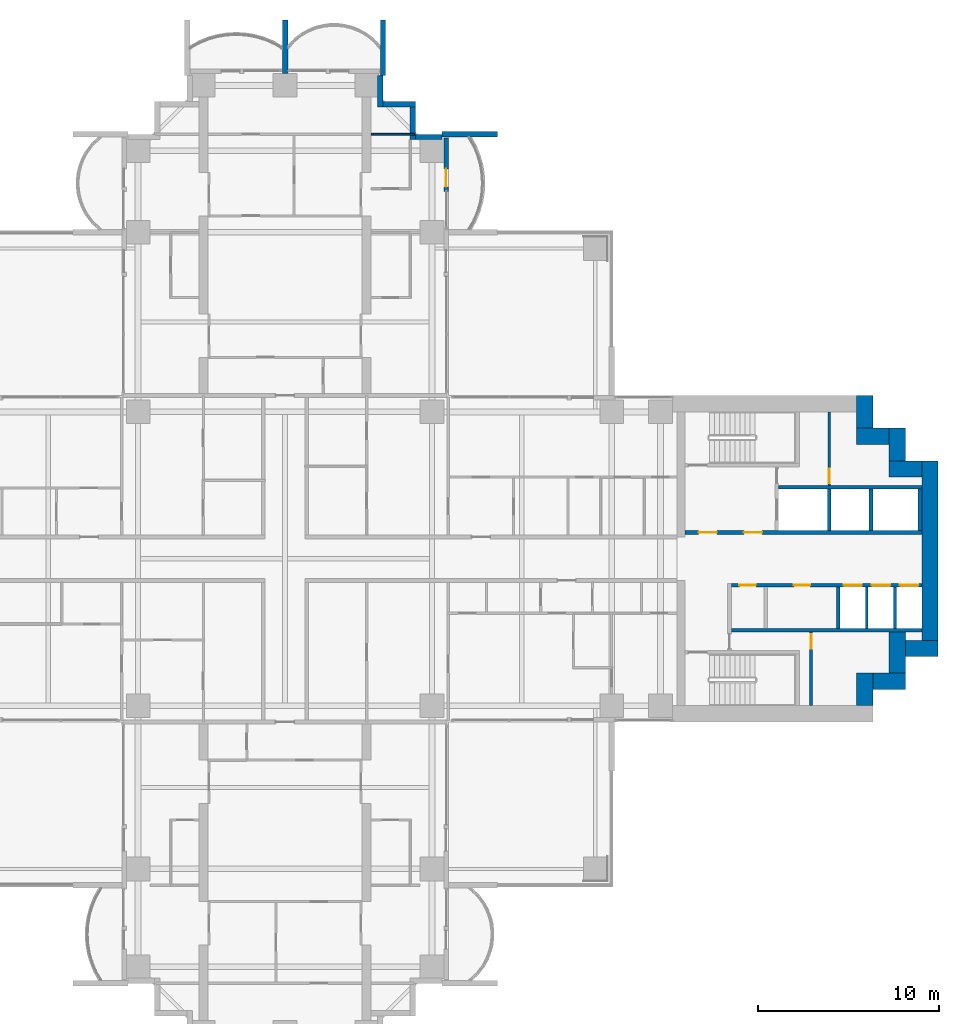
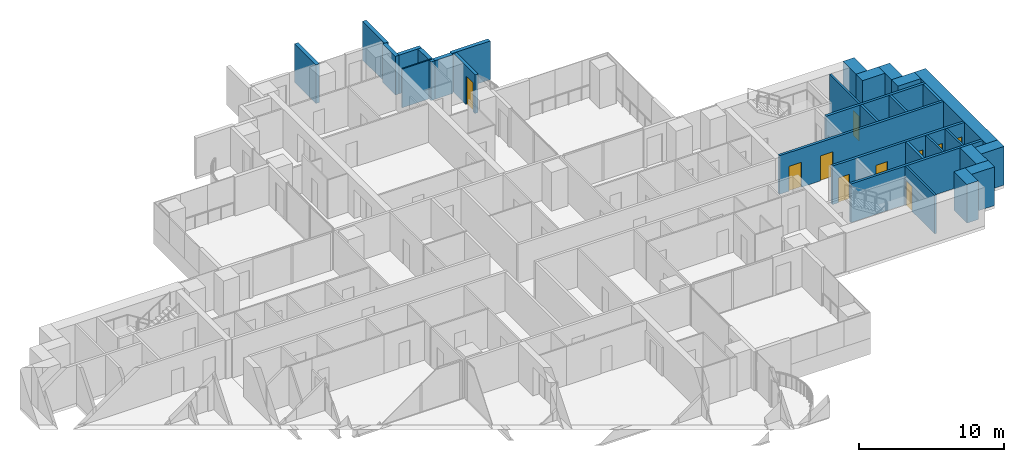
# One storey, part 16 of 21: 30 walls, 10 doors, 10 openings.
"""IFC4 building model written with IfcOpenShell, lengths in metres."""

from ifc_helpers import new_model, si_unit, direction, frame, frame_2d, origin, place, context, subcontext, project, spatial, rectangle, extrude, material, layer, layer_set, type_object, element, fill, save


model = new_model("IFC4")

# Units and contexts
model_context = context("Model", 3, precision=1e-05, world=origin(), true_north=direction((0.0, 1.0)))
body_context = subcontext(model_context, "Body", "Model", "MODEL_VIEW")
ifc_project = project(units=[si_unit("LENGTHUNIT", "METRE"), si_unit("AREAUNIT", "SQUARE_METRE"), si_unit("VOLUMEUNIT", "CUBIC_METRE"), si_unit("PLANEANGLEUNIT", "RADIAN"), si_unit("MASSUNIT", "GRAM", prefix="KILO")], contexts=[model_context])

# Site, building, storey
site_placement = place(None, origin())
site = spatial("IfcSite", under=ifc_project, at=site_placement, CompositionType="ELEMENT")
building_placement = place(site_placement, origin())
building = spatial("IfcBuilding", under=site, at=building_placement, Name="Perihelion Cross Residences", CompositionType="ELEMENT")
storey_placement = place(building_placement, frame((0.0, 0.0, 57.5)))
storey = spatial("IfcBuildingStorey", under=building, at=storey_placement, Name="L11", CompositionType="ELEMENT", Elevation=57.5)

# Wall, opening, door
ifc_material_1 = material(Name="Concrete C30/37, bronze-clad", Category="concrete")
ifc_layer_1 = layer(ifc_material_1, 0.25)
ifc_layer_set_1 = layer_set([ifc_layer_1], Name="Bronze-clad pier wall 250")
wall_type_1 = type_object("IfcWallType", Name="Bronze-clad pier wall 250", PredefinedType="SOLIDWALL", material=ifc_layer_set_1)
wall_1_placement = place(storey_placement, frame((8.875, 20.25, 0.0), z_axis=(0.0, 0.0, 1.0), x_axis=(0.0, 1.0, 0.0)))
wall_1 = element("IfcWall", 1, at=wall_1_placement, inside=storey, type_object=wall_type_1, Name="Wall FW1 L11 north side east bay 2 pier", PredefinedType="SOLIDWALL", context=body_context, shape_type="SweptSolid", body=[
    extrude(rectangle(XDim=2.949951171875, YDim=0.25, at=frame_2d((1.47509765625, 0.0))), origin(), (0.0, 0.0, 1.0), 3.25),
])
opening_1_placement = place(wall_1_placement, frame((0.25, 0.0, 0.0)))
opening_1 = element("IfcOpeningElement", 2, at=opening_1_placement, cuts=wall_1, Name="Opening L11.E03", PredefinedType="OPENING", context=body_context, shape_type="SweptSolid", body=[
    extrude(rectangle(XDim=1.0, YDim=2.39990234375, at=frame_2d((0.5, 1.199951171875))), frame((0.0, 0.135009765625, 0.0), z_axis=(0.0, -1.0, 0.0), x_axis=(1.0, 0.0, 0.0)), (0.0, 0.0, 1.0), 0.27001953125),
])
ifc_material_2 = material(Name="Bronze anodised aluminium, glazed", Category="aluminium")
door_type_1 = type_object("IfcDoorType", Name="Balcony door 1000 x 2400", OperationType="NOTDEFINED", PredefinedType="DOOR", material=ifc_material_2)
door_1_placement = place(opening_1_placement, origin())
door_1 = element("IfcDoor", 3, at=door_1_placement, inside=storey, type_object=door_type_1, Name="Door L11.E03 north side east bay 2", OperationType="SINGLE_SWING_RIGHT", OverallHeight=2.39990234375, OverallWidth=1.0, PredefinedType="DOOR", context=body_context, shape_type="SweptSolid", body=[
    extrude(rectangle(XDim=1.0, YDim=2.39990234375, at=frame_2d((0.5, 1.199951171875))), frame((0.0, 0.02490234375, 0.0), z_axis=(0.0, -1.0, 0.0), x_axis=(1.0, 0.0, 0.0)), (0.0, 0.0, 1.0), 0.050048828125),
])
fill(opening_1, door_1)

# Walls
ifc_material_3 = material(Name="Concrete C30/37, bronze-clad", Category="concrete")
ifc_layer_2 = layer(ifc_material_3, 0.300048828125)
ifc_layer_set_2 = layer_set([ifc_layer_2], Name="Bronze-clad serration wall 300")
wall_type_2 = type_object("IfcWallType", Name="Bronze-clad serration wall 300", PredefinedType="SOLIDWALL", material=ifc_layer_set_2)
wall_2_placement = place(storey_placement, frame((8.64990234375, 23.25, 0.0), z_axis=(0.0, 0.0, 1.0), x_axis=(-1.0, 0.0, 0.0)))
element("IfcWall", 4, at=wall_2_placement, inside=storey, type_object=wall_type_2, Name="Wall SR1 L11 north corner north-east 1", PredefinedType="SOLIDWALL", context=body_context, shape_type="SweptSolid", body=[
    extrude(rectangle(XDim=1.449951171875, YDim=0.300048828125, at=frame_2d((0.72509765625, 0.0))), origin(), (0.0, 0.0, 1.0), 3.25),
])
wall_3_placement = place(storey_placement, frame((7.050048828125, 23.10009765625, 0.0), z_axis=(0.0, 0.0, 1.0), x_axis=(0.0, 1.0, 0.0)))
element("IfcWall", 5, at=wall_3_placement, inside=storey, type_object=wall_type_2, Name="Wall SR1 L11 north corner north-east 2", PredefinedType="SOLIDWALL", context=body_context, shape_type="SweptSolid", body=[
    extrude(rectangle(XDim=1.7998046875, YDim=0.300048828125, at=frame_2d((0.89990234375, 0.0))), origin(), (0.0, 0.0, 1.0), 3.25),
])
wall_4_placement = place(storey_placement, frame((7.199951171875, 25.050048828125, 0.0), z_axis=(0.0, 0.0, 1.0), x_axis=(-1.0, 0.0, 0.0)))
element("IfcWall", 6, at=wall_4_placement, inside=storey, type_object=wall_type_2, Name="Wall SR1 L11 north corner north-east 3", PredefinedType="SOLIDWALL", context=body_context, shape_type="SweptSolid", body=[
    extrude(rectangle(XDim=1.800048828125, YDim=0.300048828125, at=frame_2d((0.89990234375, 0.0))), origin(), (0.0, 0.0, 1.0), 3.25),
])
wall_5_placement = place(storey_placement, frame((5.25, 24.89990234375, 0.0), z_axis=(0.0, 0.0, 1.0), x_axis=(0.0, 1.0, 0.0)))
element("IfcWall", 7, at=wall_5_placement, inside=storey, type_object=wall_type_2, Name="Wall SR1 L11 north corner north-east 4", PredefinedType="SOLIDWALL", context=body_context, shape_type="SweptSolid", body=[
    extrude(rectangle(XDim=1.75, YDim=0.300048828125, at=frame_2d((0.875, 0.0))), origin(), (0.0, 0.0, 1.0), 3.25),
])
ifc_material_4 = material(Name="Concrete C60/75", Category="concrete")
ifc_layer_3 = layer(ifc_material_4, 0.89990234375)
ifc_layer_set_3 = layer_set([ifc_layer_3], Name="Core wall, outer 900")
wall_type_3 = type_object("IfcWallType", Name="Core wall, outer 900", PredefinedType="SHEAR", material=ifc_layer_set_3)
for number, where, z_axis, x_axis, name in (
    (8, (31.949951171875, -8.10009765625, 0.0), (0.0, 0.0, 1.0), (0.0, 1.0, 0.0), "East core core wall, outer"),
    (9, (32.39990234375, -6.75, 0.0), (0.0, 0.0, 1.0), (1.0, 0.0, 0.0), "East core core wall, outer"),
):
    element("IfcWall", number, at=place(storey_placement, frame(where, z_axis=z_axis, x_axis=x_axis)), inside=storey, type_object=wall_type_3, Name=name, PredefinedType="SHEAR", context=body_context, shape_type="SweptSolid", body=[
        extrude(rectangle(XDim=1.800048828125, YDim=0.89990234375, at=frame_2d((0.89990234375, 0.0))), origin(), (0.0, 0.0, 1.0), 3.25),
    ])
wall_6_placement = place(storey_placement, frame((33.75, -6.300048828125, 0.0), z_axis=(0.0, 0.0, 1.0), x_axis=(0.0, 1.0, 0.0)))
element("IfcWall", 10, at=wall_6_placement, inside=storey, type_object=wall_type_3, Name="East core core wall, outer", PredefinedType="SHEAR", context=body_context, shape_type="SweptSolid", body=[
    extrude(rectangle(XDim=2.25, YDim=0.89990234375, at=frame_2d((1.125, 0.0))), origin(), (0.0, 0.0, 1.0), 3.25),
])
wall_7_placement = place(storey_placement, frame((34.199951171875, -4.949951171875, 0.0), z_axis=(0.0, 0.0, 1.0), x_axis=(1.0, 0.0, 0.0)))
element("IfcWall", 11, at=wall_7_placement, inside=storey, type_object=wall_type_3, Name="East core core wall, outer", PredefinedType="SHEAR", context=body_context, shape_type="SweptSolid", body=[
    extrude(rectangle(XDim=1.800048828125, YDim=0.89990234375, at=frame_2d((0.89990234375, 0.0))), origin(), (0.0, 0.0, 1.0), 3.25),
])
wall_8_placement = place(storey_placement, frame((35.550048828125, -4.5, 0.0), z_axis=(0.0, 0.0, 1.0), x_axis=(0.0, 1.0, 0.0)))
element("IfcWall", 12, at=wall_8_placement, inside=storey, type_object=wall_type_3, Name="East core core wall, outer", PredefinedType="SHEAR", context=body_context, shape_type="SweptSolid", body=[
    extrude(rectangle(XDim=9.89990234375, YDim=0.89990234375, at=frame_2d((4.949951171875, 0.0))), origin(), (0.0, 0.0, 1.0), 3.25),
])
for number, where, z_axis, x_axis, name in (
    (13, (33.300048828125, 4.949951171875, 0.0), (0.0, 0.0, 1.0), (1.0, 0.0, 0.0), "East core core wall, outer"),
    (14, (33.75, 5.39990234375, 0.0), (0.0, 0.0, 1.0), (0.0, 1.0, 0.0), "East core core wall, outer"),
    (15, (31.5, 6.75, 0.0), (0.0, 0.0, 1.0), (1.0, 0.0, 0.0), "East core core wall, outer"),
    (16, (31.949951171875, 7.199951171875, 0.0), (0.0, 0.0, 1.0), (0.0, 1.0, 0.0), "East core core wall, outer"),
):
    element("IfcWall", number, at=place(storey_placement, frame(where, z_axis=z_axis, x_axis=x_axis)), inside=storey, type_object=wall_type_3, Name=name, PredefinedType="SHEAR", context=body_context, shape_type="SweptSolid", body=[
        extrude(rectangle(XDim=1.800048828125, YDim=0.89990234375, at=frame_2d((0.89990234375, 0.0))), origin(), (0.0, 0.0, 1.0), 3.25),
    ])
ifc_material_5 = material(Name="Precast concrete C50/60", Category="concrete")
ifc_layer_4 = layer(ifc_material_5, 0.300048828125)
ifc_layer_set_4 = layer_set([ifc_layer_4], Name="Precast concrete C50/60 blade wall 300")
wall_type_4 = type_object("IfcWallType", Name="Precast concrete C50/60 blade wall 300", PredefinedType="SOLIDWALL", material=ifc_layer_set_4)
wall_9_placement = place(storey_placement, frame((0.0, 26.75, 0.0), z_axis=(0.0, 0.0, 1.0), x_axis=(0.0, 1.0, 0.0)))
element("IfcWall", 17, at=wall_9_placement, inside=storey, type_object=wall_type_4, Name="Wall BL1 L11 no. 10", PredefinedType="SOLIDWALL", context=body_context, shape_type="SweptSolid", body=[
    extrude(rectangle(XDim=2.949951171875, YDim=0.300048828125, at=frame_2d((1.47509765625, 0.0))), origin(), (0.0, 0.0, 1.0), 3.25),
])
for number, where, z_axis, x_axis, name in (
    (18, (5.39990234375, 26.64990234375, 0.0), (0.0, 0.0, 1.0), (0.0, 1.0, 0.0), "Wall BL1 L11 no. 14"),
    (19, (8.64990234375, 23.39990234375, 0.0), (0.0, 0.0, 1.0), (1.0, 0.0, 0.0), "Wall BL1 L11 no. 18"),
):
    element("IfcWall", number, at=place(storey_placement, frame(where, z_axis=z_axis, x_axis=x_axis)), inside=storey, type_object=wall_type_4, Name=name, PredefinedType="SOLIDWALL", context=body_context, shape_type="SweptSolid", body=[
        extrude(rectangle(XDim=3.050048828125, YDim=0.300048828125, at=frame_2d((1.52490234375, 0.0))), origin(), (0.0, 0.0, 1.0), 3.25),
    ])

# Wall, opening, door
ifc_material_6 = material(Name="Fire-rated board on steel stud", Category="steel")
ifc_layer_5 = layer(ifc_material_6, 0.14990234375)
ifc_layer_set_5 = layer_set([ifc_layer_5], Name="Riser wall 150")
wall_type_5 = type_object("IfcWallType", Name="Riser wall 150", PredefinedType="PARTITIONING", material=ifc_layer_set_5)
wall_10_placement = place(storey_placement, frame((30.0, 4.050048828125, 0.0), z_axis=(0.0, 0.0, 1.0), x_axis=(0.0, 1.0, 0.0)))
wall_10 = element("IfcWall", 20, at=wall_10_placement, inside=storey, type_object=wall_type_5, Name="East core riser wall", PredefinedType="PARTITIONING", context=body_context, shape_type="SweptSolid", body=[
    extrude(rectangle(XDim=4.050048828125, YDim=0.14990234375, at=frame_2d((2.02490234375, 0.0))), origin(), (0.0, 0.0, 1.0), 3.25),
])
opening_2_placement = place(wall_10_placement, frame((0.10009765625, 0.0, 0.0)))
opening_2 = element("IfcOpeningElement", 21, at=opening_2_placement, cuts=wall_10, Name="Opening L11.C14", PredefinedType="OPENING", context=body_context, shape_type="SweptSolid", body=[
    extrude(rectangle(XDim=0.800048828125, YDim=2.10009765625, at=frame_2d((0.39990234375, 1.050048828125))), frame((0.0, 0.0849609375, 0.0), z_axis=(0.0, -1.0, 0.0), x_axis=(1.0, 0.0, 0.0)), (0.0, 0.0, 1.0), 0.169921875),
])
ifc_material_7 = material(Name="Steel, powder coated", Category="steel")
door_type_2 = type_object("IfcDoorType", Name="Riser door 800", OperationType="SINGLE_SWING_LEFT", PredefinedType="DOOR", material=ifc_material_7)
door_2_placement = place(opening_2_placement, origin())
door_2 = element("IfcDoor", 22, at=door_2_placement, inside=storey, type_object=door_type_2, Name="East core riser door", OperationType="SINGLE_SWING_LEFT", OverallHeight=2.10009765625, OverallWidth=0.800048828125, PredefinedType="DOOR", context=body_context, shape_type="SweptSolid", body=[
    extrude(rectangle(XDim=0.800048828125, YDim=2.10009765625, at=frame_2d((0.39990234375, 1.050048828125))), frame((0.0, 0.02490234375, 0.0), z_axis=(0.0, -1.0, 0.0), x_axis=(1.0, 0.0, 0.0)), (0.0, 0.0, 1.0), 0.050048828125),
])
fill(opening_2, door_2)

wall_11_placement = place(storey_placement, frame((29.0, -8.10009765625, 0.0), z_axis=(0.0, 0.0, 1.0), x_axis=(0.0, 1.0, 0.0)))
wall_11 = element("IfcWall", 23, at=wall_11_placement, inside=storey, type_object=wall_type_5, Name="East core riser wall", PredefinedType="PARTITIONING", context=body_context, shape_type="SweptSolid", body=[
    extrude(rectangle(XDim=4.050048828125, YDim=0.14990234375, at=frame_2d((2.02490234375, 0.0))), origin(), (0.0, 0.0, 1.0), 3.25),
])
opening_3_placement = place(wall_11_placement, frame((3.14990234375, 0.0, 0.0)))
opening_3 = element("IfcOpeningElement", 24, at=opening_3_placement, cuts=wall_11, Name="Opening L11.C13", PredefinedType="OPENING", context=body_context, shape_type="SweptSolid", body=[
    extrude(rectangle(XDim=0.800048828125, YDim=2.10009765625, at=frame_2d((0.39990234375, 1.050048828125))), frame((0.0, 0.0849609375, 0.0), z_axis=(0.0, -1.0, 0.0), x_axis=(1.0, 0.0, 0.0)), (0.0, 0.0, 1.0), 0.169921875),
])
door_3_placement = place(opening_3_placement, origin())
door_3 = element("IfcDoor", 25, at=door_3_placement, inside=storey, type_object=door_type_2, Name="East core riser door", OperationType="SINGLE_SWING_LEFT", OverallHeight=2.10009765625, OverallWidth=0.800048828125, PredefinedType="DOOR", context=body_context, shape_type="SweptSolid", body=[
    extrude(rectangle(XDim=0.800048828125, YDim=2.10009765625, at=frame_2d((0.39990234375, 1.050048828125))), frame((0.0, 0.02490234375, 0.0), z_axis=(0.0, -1.0, 0.0), x_axis=(1.0, 0.0, 0.0)), (0.0, 0.0, 1.0), 0.050048828125),
])
fill(opening_3, door_3)

# Walls
ifc_material_8 = material(Name="Concrete C50/60", Category="concrete")
ifc_layer_6 = layer(ifc_material_8, 0.14990234375)
ifc_layer_set_6 = layer_set([ifc_layer_6], Name="Shaft wall 150")
wall_type_6 = type_object("IfcWallType", Name="Shaft wall 150", PredefinedType="SOLIDWALL", material=ifc_layer_set_6)
for number, where, z_axis, x_axis, name in (
    (26, (32.074951171875, -3.85009765625, 0.0), (0.0, 0.0, 1.0), (0.0, 1.0, 0.0), "East core shaft wall"),
    (27, (33.625, -3.85009765625, 0.0), (0.0, 0.0, 1.0), (0.0, 1.0, 0.0), "East core shaft wall"),
):
    element("IfcWall", number, at=place(storey_placement, frame(where, z_axis=z_axis, x_axis=x_axis)), inside=storey, type_object=wall_type_6, Name=name, PredefinedType="SOLIDWALL", context=body_context, shape_type="SweptSolid", body=[
        extrude(rectangle(XDim=2.300048828125, YDim=0.14990234375, at=frame_2d((1.14990234375, 0.0))), origin(), (0.0, 0.0, 1.0), 3.25),
    ])

# Wall, openings, doors
ifc_material_9 = material(Name="Concrete C50/60", Category="concrete")
ifc_layer_7 = layer(ifc_material_9, 0.199951171875)
ifc_layer_set_7 = layer_set([ifc_layer_7], Name="Shaft wall 200")
wall_type_7 = type_object("IfcWallType", Name="Shaft wall 200", PredefinedType="SOLIDWALL", material=ifc_layer_set_7)
wall_12_placement = place(storey_placement, frame((22.050048828125, 1.449951171875, 0.0), z_axis=(0.0, 0.0, 1.0), x_axis=(1.0, 0.0, 0.0)))
wall_12 = element("IfcWall", 28, at=wall_12_placement, inside=storey, type_object=wall_type_7, Name="East core shaft wall", PredefinedType="SOLIDWALL", context=body_context, shape_type="SweptSolid", body=[
    extrude(rectangle(XDim=13.050048828125, YDim=0.199951171875, at=frame_2d((6.52490234375, 0.0))), origin(), (0.0, 0.0, 1.0), 3.25),
])
opening_4_placement = place(wall_12_placement, frame((0.75, 0.0, 0.0)))
opening_4 = element("IfcOpeningElement", 29, at=opening_4_placement, cuts=wall_12, Name="Opening L11.C07", PredefinedType="OPENING", context=body_context, shape_type="SweptSolid", body=[
    extrude(rectangle(XDim=1.0, YDim=2.10009765625, at=frame_2d((0.5, 1.050048828125))), frame((0.0, 0.10986328125, 0.0), z_axis=(0.0, -1.0, 0.0), x_axis=(1.0, 0.0, 0.0)), (0.0, 0.0, 1.0), 0.219970703125),
])
opening_5_placement = place(wall_12_placement, frame((3.25, 0.0, 0.0)))
opening_5 = element("IfcOpeningElement", 30, at=opening_5_placement, cuts=wall_12, Name="Opening L11.C10", PredefinedType="OPENING", context=body_context, shape_type="SweptSolid", body=[
    extrude(rectangle(XDim=1.0, YDim=2.10009765625, at=frame_2d((0.5, 1.050048828125))), frame((0.0, 0.10986328125, 0.0), z_axis=(0.0, -1.0, 0.0), x_axis=(1.0, 0.0, 0.0)), (0.0, 0.0, 1.0), 0.219970703125),
])
ifc_material_10 = material(Name="Steel, powder coated", Category="steel")
door_type_3 = type_object("IfcDoorType", Name="Lobby door 1000", OperationType="SINGLE_SWING_LEFT", PredefinedType="DOOR", material=ifc_material_10)
door_4_placement = place(opening_4_placement, origin())
door_4 = element("IfcDoor", 31, at=door_4_placement, inside=storey, type_object=door_type_3, Name="East core firefighting lobby door", OperationType="SINGLE_SWING_LEFT", OverallHeight=2.10009765625, OverallWidth=1.0, PredefinedType="DOOR", context=body_context, shape_type="SweptSolid", body=[
    extrude(rectangle(XDim=1.0, YDim=2.10009765625, at=frame_2d((0.5, 1.050048828125))), frame((0.0, 0.02490234375, 0.0), z_axis=(0.0, -1.0, 0.0), x_axis=(1.0, 0.0, 0.0)), (0.0, 0.0, 1.0), 0.050048828125),
])
fill(opening_4, door_4)
door_5_placement = place(opening_5_placement, origin())
door_5 = element("IfcDoor", 32, at=door_5_placement, inside=storey, type_object=door_type_3, Name="East core firefighting lobby door", OperationType="SINGLE_SWING_LEFT", OverallHeight=2.10009765625, OverallWidth=1.0, PredefinedType="DOOR", context=body_context, shape_type="SweptSolid", body=[
    extrude(rectangle(XDim=1.0, YDim=2.10009765625, at=frame_2d((0.5, 1.050048828125))), frame((0.0, 0.02490234375, 0.0), z_axis=(0.0, -1.0, 0.0), x_axis=(1.0, 0.0, 0.0)), (0.0, 0.0, 1.0), 0.050048828125),
])
fill(opening_5, door_5)

wall_13_placement = place(storey_placement, frame((24.60009765625, -1.449951171875, 0.0), z_axis=(0.0, 0.0, 1.0), x_axis=(1.0, 0.0, 0.0)))
wall_13 = element("IfcWall", 33, at=wall_13_placement, inside=storey, type_object=wall_type_7, Name="East core shaft wall", PredefinedType="SOLIDWALL", context=body_context, shape_type="SweptSolid", body=[
    extrude(rectangle(XDim=10.5, YDim=0.199951171875, at=frame_2d((5.25, 0.0))), origin(), (0.0, 0.0, 1.0), 3.25),
])
opening_6_placement = place(wall_13_placement, frame((6.199951171875, 0.0, 0.0)))
opening_6 = element("IfcOpeningElement", 34, at=opening_6_placement, cuts=wall_13, Name="Opening L11.C02", PredefinedType="OPENING", context=body_context, shape_type="SweptSolid", body=[
    extrude(rectangle(XDim=1.0, YDim=2.10009765625, at=frame_2d((0.5, 1.050048828125))), frame((0.0, 0.10986328125, 0.0), z_axis=(0.0, -1.0, 0.0), x_axis=(1.0, 0.0, 0.0)), (0.0, 0.0, 1.0), 0.219970703125),
])
opening_7_placement = place(wall_13_placement, frame((7.75, 0.0, 0.0)))
opening_7 = element("IfcOpeningElement", 35, at=opening_7_placement, cuts=wall_13, Name="Opening L11.C03", PredefinedType="OPENING", context=body_context, shape_type="SweptSolid", body=[
    extrude(rectangle(XDim=1.0, YDim=2.10009765625, at=frame_2d((0.5, 1.050048828125))), frame((0.0, 0.10986328125, 0.0), z_axis=(0.0, -1.0, 0.0), x_axis=(1.0, 0.0, 0.0)), (0.0, 0.0, 1.0), 0.219970703125),
])
opening_8_placement = place(wall_13_placement, frame((9.300048828125, 0.0, 0.0)))
opening_8 = element("IfcOpeningElement", 36, at=opening_8_placement, cuts=wall_13, Name="Opening L11.C04", PredefinedType="OPENING", context=body_context, shape_type="SweptSolid", body=[
    extrude(rectangle(XDim=1.0, YDim=2.10009765625, at=frame_2d((0.5, 1.050048828125))), frame((0.0, 0.10986328125, 0.0), z_axis=(0.0, -1.0, 0.0), x_axis=(1.0, 0.0, 0.0)), (0.0, 0.0, 1.0), 0.219970703125),
])
opening_9_placement = place(wall_13_placement, frame((0.449951171875, 0.0, 0.0)))
opening_9 = element("IfcOpeningElement", 37, at=opening_9_placement, cuts=wall_13, Name="Opening L11.C09", PredefinedType="OPENING", context=body_context, shape_type="SweptSolid", body=[
    extrude(rectangle(XDim=0.89990234375, YDim=2.10009765625, at=frame_2d((0.449951171875, 1.050048828125))), frame((0.0, 0.10986328125, 0.0), z_axis=(0.0, -1.0, 0.0), x_axis=(1.0, 0.0, 0.0)), (0.0, 0.0, 1.0), 0.219970703125),
])
opening_10_placement = place(wall_13_placement, frame((3.449951171875, 0.0, 0.0)))
opening_10 = element("IfcOpeningElement", 38, at=opening_10_placement, cuts=wall_13, Name="Opening L11.C12", PredefinedType="OPENING", context=body_context, shape_type="SweptSolid", body=[
    extrude(rectangle(XDim=0.89990234375, YDim=2.10009765625, at=frame_2d((0.449951171875, 1.050048828125))), frame((0.0, 0.10986328125, 0.0), z_axis=(0.0, -1.0, 0.0), x_axis=(1.0, 0.0, 0.0)), (0.0, 0.0, 1.0), 0.219970703125),
])
ifc_material_11 = material(Name="Stainless steel", Category="steel")
door_type_4 = type_object("IfcDoorType", Name="Landing door 1000", OperationType="DOUBLE_DOOR_SLIDING", PredefinedType="DOOR", material=ifc_material_11)
door_6_placement = place(opening_6_placement, origin())
door_6 = element("IfcDoor", 39, at=door_6_placement, inside=storey, type_object=door_type_4, Name="Landing door, East core low-rise lift 1", OperationType="DOUBLE_DOOR_SLIDING", OverallHeight=2.10009765625, OverallWidth=1.0, PredefinedType="DOOR", context=body_context, shape_type="SweptSolid", body=[
    extrude(rectangle(XDim=1.0, YDim=2.10009765625, at=frame_2d((0.5, 1.050048828125))), frame((0.0, 0.02490234375, 0.0), z_axis=(0.0, -1.0, 0.0), x_axis=(1.0, 0.0, 0.0)), (0.0, 0.0, 1.0), 0.050048828125),
])
fill(opening_6, door_6)
door_7_placement = place(opening_7_placement, origin())
door_7 = element("IfcDoor", 40, at=door_7_placement, inside=storey, type_object=door_type_4, Name="Landing door, East core low-rise lift 2", OperationType="DOUBLE_DOOR_SLIDING", OverallHeight=2.10009765625, OverallWidth=1.0, PredefinedType="DOOR", context=body_context, shape_type="SweptSolid", body=[
    extrude(rectangle(XDim=1.0, YDim=2.10009765625, at=frame_2d((0.5, 1.050048828125))), frame((0.0, 0.02490234375, 0.0), z_axis=(0.0, -1.0, 0.0), x_axis=(1.0, 0.0, 0.0)), (0.0, 0.0, 1.0), 0.050048828125),
])
fill(opening_7, door_7)
door_8_placement = place(opening_8_placement, origin())
door_8 = element("IfcDoor", 41, at=door_8_placement, inside=storey, type_object=door_type_4, Name="Landing door, East core low-rise lift 3", OperationType="DOUBLE_DOOR_SLIDING", OverallHeight=2.10009765625, OverallWidth=1.0, PredefinedType="DOOR", context=body_context, shape_type="SweptSolid", body=[
    extrude(rectangle(XDim=1.0, YDim=2.10009765625, at=frame_2d((0.5, 1.050048828125))), frame((0.0, 0.02490234375, 0.0), z_axis=(0.0, -1.0, 0.0), x_axis=(1.0, 0.0, 0.0)), (0.0, 0.0, 1.0), 0.050048828125),
])
fill(opening_8, door_8)
ifc_material_12 = material(Name="Steel, powder coated", Category="steel")
door_type_5 = type_object("IfcDoorType", Name="Service room door 900", OperationType="SINGLE_SWING_LEFT", PredefinedType="DOOR", material=ifc_material_12)
door_9_placement = place(opening_9_placement, origin())
door_9 = element("IfcDoor", 42, at=door_9_placement, inside=storey, type_object=door_type_5, Name="East core service room door", OperationType="SINGLE_SWING_LEFT", OverallHeight=2.10009765625, OverallWidth=0.89990234375, PredefinedType="DOOR", context=body_context, shape_type="SweptSolid", body=[
    extrude(rectangle(XDim=0.89990234375, YDim=2.10009765625, at=frame_2d((0.449951171875, 1.050048828125))), frame((0.0, 0.02490234375, 0.0), z_axis=(0.0, -1.0, 0.0), x_axis=(1.0, 0.0, 0.0)), (0.0, 0.0, 1.0), 0.050048828125),
])
fill(opening_9, door_9)
door_10_placement = place(opening_10_placement, origin())
door_10 = element("IfcDoor", 43, at=door_10_placement, inside=storey, type_object=door_type_5, Name="East core service room door", OperationType="SINGLE_SWING_LEFT", OverallHeight=2.10009765625, OverallWidth=0.89990234375, PredefinedType="DOOR", context=body_context, shape_type="SweptSolid", body=[
    extrude(rectangle(XDim=0.89990234375, YDim=2.10009765625, at=frame_2d((0.449951171875, 1.050048828125))), frame((0.0, 0.02490234375, 0.0), z_axis=(0.0, -1.0, 0.0), x_axis=(1.0, 0.0, 0.0)), (0.0, 0.0, 1.0), 0.050048828125),
])
fill(opening_10, door_10)

# Walls
wall_14_placement = place(storey_placement, frame((27.199951171875, 3.949951171875, 0.0), z_axis=(0.0, 0.0, 1.0), x_axis=(1.0, 0.0, 0.0)))
element("IfcWall", 44, at=wall_14_placement, inside=storey, type_object=wall_type_7, Name="East core shaft wall", PredefinedType="SOLIDWALL", context=body_context, shape_type="SweptSolid", body=[
    extrude(rectangle(XDim=7.900146484375, YDim=0.199951171875, at=frame_2d((3.9501953125, 0.0))), origin(), (0.0, 0.0, 1.0), 3.25),
])
wall_15_placement = place(storey_placement, frame((24.60009765625, -3.949951171875, 0.0), z_axis=(0.0, 0.0, 1.0), x_axis=(1.0, 0.0, 0.0)))
element("IfcWall", 45, at=wall_15_placement, inside=storey, type_object=wall_type_7, Name="East core shaft wall", PredefinedType="SOLIDWALL", context=body_context, shape_type="SweptSolid", body=[
    extrude(rectangle(XDim=10.5, YDim=0.199951171875, at=frame_2d((5.25, 0.0))), origin(), (0.0, 0.0, 1.0), 3.25),
])
for number, where, z_axis, x_axis, name in (
    (46, (30.0, 1.550048828125, 0.0), (0.0, 0.0, 1.0), (0.0, 1.0, 0.0), "East core shaft wall"),
    (47, (32.300048828125, 1.550048828125, 0.0), (0.0, 0.0, 1.0), (0.0, 1.0, 0.0), "East core shaft wall"),
    (48, (35.0, 1.550048828125, 0.0), (0.0, 0.0, 1.0), (0.0, 1.0, 0.0), "East core shaft wall"),
    (49, (30.5, -3.85009765625, 0.0), (0.0, 0.0, 1.0), (0.0, 1.0, 0.0), "East core shaft wall"),
):
    element("IfcWall", number, at=place(storey_placement, frame(where, z_axis=z_axis, x_axis=x_axis)), inside=storey, type_object=wall_type_7, Name=name, PredefinedType="SOLIDWALL", context=body_context, shape_type="SweptSolid", body=[
        extrude(rectangle(XDim=2.300048828125, YDim=0.199951171875, at=frame_2d((1.14990234375, 0.0))), origin(), (0.0, 0.0, 1.0), 3.25),
    ])
ifc_material_13 = material(Name="Plasterboard partition")
ifc_layer_8 = layer(ifc_material_13, 0.10009765625)
ifc_layer_set_8 = layer_set([ifc_layer_8], Name="Wet room wall 100")
wall_type_8 = type_object("IfcWallType", Name="Wet room wall 100", PredefinedType="PARTITIONING", material=ifc_layer_set_8)
wall_16_placement = place(storey_placement, frame((4.75, 23.39990234375, 0.0), z_axis=(0.0, 0.0, 1.0), x_axis=(1.0, 0.0, 0.0)))
element("IfcWall", 50, at=wall_16_placement, inside=storey, type_object=wall_type_8, Name="Partition L11 W072", PredefinedType="PARTITIONING", context=body_context, shape_type="SweptSolid", body=[
    extrude(rectangle(XDim=2.3701171875, YDim=0.10009765625, at=frame_2d((1.18505859375, 0.0))), origin(), (0.0, 0.0, 1.0), 3.25),
])

save(model, "model.ifc")
